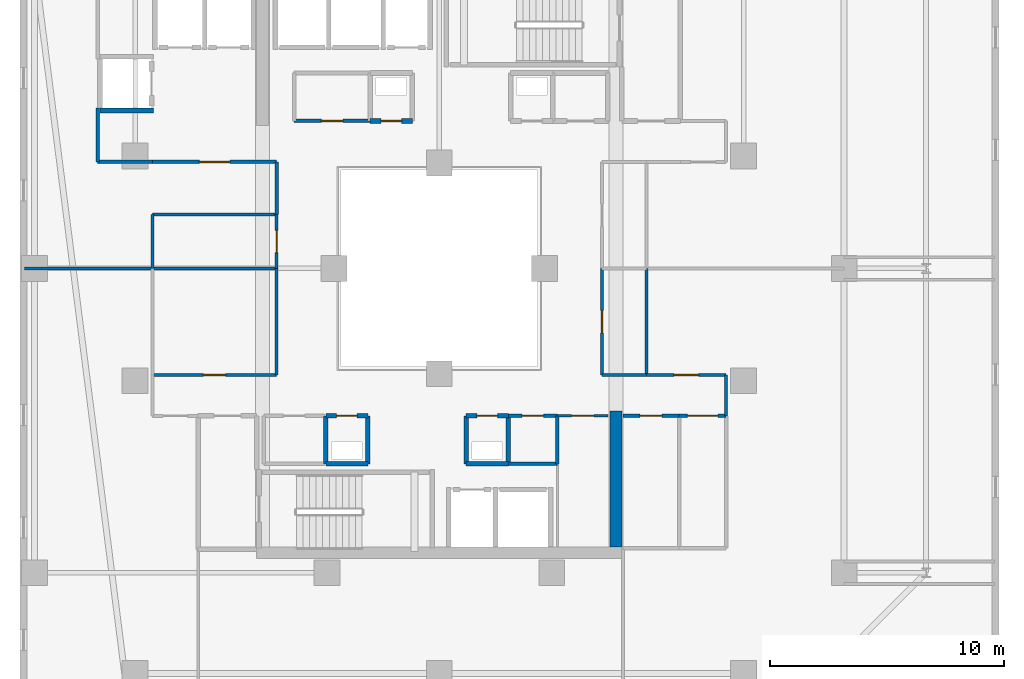
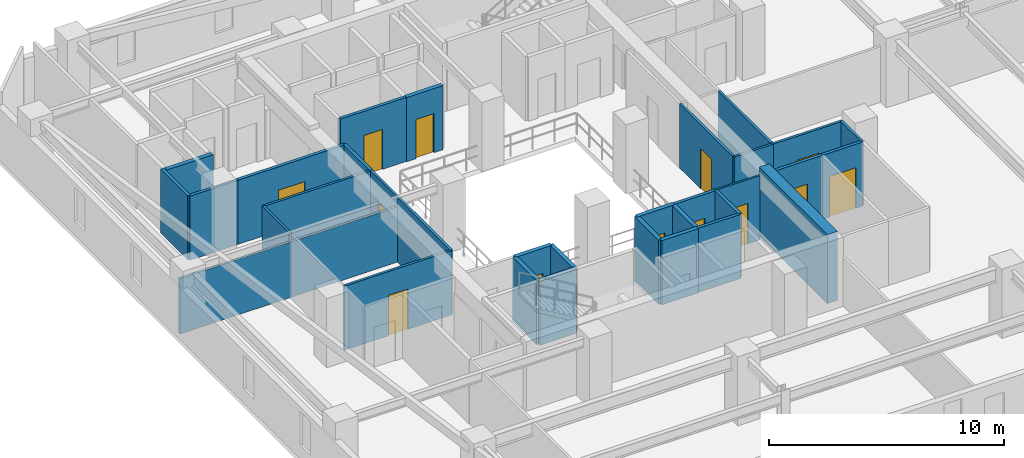
# One storey, part 20 of 33: 34 walls, 13 doors, 13 openings.
"""IFC4 building model written with IfcOpenShell, lengths in metres."""

from ifc_helpers import new_model, si_unit, direction, frame, frame_2d, origin, place, context, subcontext, project, spatial, rectangle, extrude, material, layer, layer_set, type_object, element, fill, save


model = new_model("IFC4")

# Units and contexts
model_context = context("Model", 3, precision=1e-05, world=origin(), true_north=direction((0.0, 1.0)))
body_context = subcontext(model_context, "Body", "Model", "MODEL_VIEW")
ifc_project = project(units=[si_unit("LENGTHUNIT", "METRE"), si_unit("AREAUNIT", "SQUARE_METRE"), si_unit("VOLUMEUNIT", "CUBIC_METRE"), si_unit("PLANEANGLEUNIT", "RADIAN"), si_unit("MASSUNIT", "GRAM", prefix="KILO")], contexts=[model_context])

# Site, building, storey
site_placement = place(None, origin())
site = spatial("IfcSite", under=ifc_project, at=site_placement, CompositionType="ELEMENT")
building_placement = place(site_placement, origin())
building = spatial("IfcBuilding", under=site, at=building_placement, Name="Thornwick Lancets Civic Towers", CompositionType="ELEMENT")
storey_placement = place(building_placement, frame((0.0, 0.0, 167.10009765625)))
storey = spatial("IfcBuildingStorey", under=building, at=storey_placement, Name="L44", CompositionType="ELEMENT", Elevation=167.10009765625)

# Walls
ifc_material_1 = material(Name="Concrete blockwork C40/50", Category="masonry")
ifc_layer_1 = layer(ifc_material_1, 0.199951171875, Name="Concrete blockwork C40/50")
ifc_layer_set_1 = layer_set([ifc_layer_1], Name="Concrete blockwork C40/50")
wall_type_1 = type_object("IfcWallType", Name="WALL_COMP_200", PredefinedType="STANDARD", material=ifc_layer_set_1)
wall_1_placement = place(storey_placement, frame((11.001953125, 33.75, 0.0), z_axis=(0.0, 0.0, 1.0), x_axis=(1.0, 0.0, 0.0)))
element("IfcWall", 1, at=wall_1_placement, inside=storey, type_object=wall_type_1, Name="L44 Hoistway Shaft Wall PL-AM3 S", PredefinedType="STANDARD", context=body_context, shape_type="SweptSolid", body=[
    extrude(rectangle(XDim=2.296142578125, YDim=0.199951171875, at=frame_2d((1.14794921875, 0.0))), origin(), (0.0, 0.0, 1.0), 3.33984375),
])
wall_2_placement = place(storey_placement, frame((26.64990234375, 18.64990234375, 0.0), z_axis=(0.0, 0.0, 1.0), x_axis=(1.0, 0.0, 0.0)))
element("IfcWall", 2, at=wall_2_placement, inside=storey, type_object=wall_type_1, Name="L44 Partition L44-A-DUCT1 E1", PredefinedType="STANDARD", context=body_context, shape_type="SweptSolid", body=[
    extrude(rectangle(XDim=1.800048828125, YDim=0.199951171875, at=frame_2d((0.89990234375, 0.0))), origin(), (0.0, 0.0, 1.0), 3.33984375),
])
wall_3_placement = place(storey_placement, frame((28.449951171875, 18.64990234375, 0.0), z_axis=(0.0, 0.0, 1.0), x_axis=(0.0, 1.0, 0.0)))
element("IfcWall", 3, at=wall_3_placement, inside=storey, type_object=wall_type_1, Name="L44 Partition L44-A-DUCT1 E2", PredefinedType="STANDARD", context=body_context, shape_type="SweptSolid", body=[
    extrude(rectangle(XDim=2.050048828125, YDim=0.199951171875, at=frame_2d((1.02490234375, 0.0))), origin(), (0.0, 0.0, 1.0), 3.33984375),
])

# Wall, opening, door
wall_4_placement = place(storey_placement, frame((28.449951171875, 20.699951171875, 0.0), z_axis=(0.0, 0.0, 1.0), x_axis=(-1.0, 0.0, 0.0)))
wall_4 = element("IfcWall", 4, at=wall_4_placement, inside=storey, type_object=wall_type_1, Name="L44 Partition L44-A-DUCT1 E3", PredefinedType="STANDARD", context=body_context, shape_type="SweptSolid", body=[
    extrude(rectangle(XDim=1.800048828125, YDim=0.199951171875, at=frame_2d((0.89990234375, 0.0))), origin(), (0.0, 0.0, 1.0), 3.33984375),
])
opening_1_placement = place(wall_4_placement, frame((0.4599609375, 0.0, 0.0)))
opening_1 = element("IfcOpeningElement", 5, at=opening_1_placement, cuts=wall_4, Name="Opening D-L44-1959", PredefinedType="OPENING", context=body_context, shape_type="SweptSolid", body=[
    extrude(rectangle(XDim=0.8798828125, YDim=2.0400390625, at=frame_2d((0.43994140625, 1.02001953125))), frame((0.0, 0.10986328125, 0.0), z_axis=(0.0, -1.0, 0.0), x_axis=(1.0, 0.0, 0.0)), (0.0, 0.0, 1.0), 0.219970703125),
])
ifc_material_2 = material(Name="Steel riser access doorset", Category="steel")
door_type_1 = type_object("IfcDoorType", Name="DOOR_RISER_850", OperationType="NOTDEFINED", PredefinedType="DOOR", material=ifc_material_2)
door_1_placement = place(opening_1_placement, origin())
door_1 = element("IfcDoor", 6, at=door_1_placement, inside=storey, type_object=door_type_1, Name="L44 South Service Duct 1 Door", OperationType="SINGLE_SWING_RIGHT", OverallHeight=2.0400390625, OverallWidth=0.8798828125, PredefinedType="DOOR", context=body_context, shape_type="SweptSolid", body=[
    extrude(rectangle(XDim=0.8798828125, YDim=2.0400390625, at=frame_2d((0.43994140625, 1.02001953125))), frame((0.0, 0.02490234375, 0.0), z_axis=(0.0, -1.0, 0.0), x_axis=(1.0, 0.0, 0.0)), (0.0, 0.0, 1.0), 0.050048828125),
])
fill(opening_1, door_1)

# Walls
wall_5_placement = place(storey_placement, frame((26.64990234375, 20.699951171875, 0.0), z_axis=(0.0, 0.0, 1.0), x_axis=(0.0, -1.0, 0.0)))
element("IfcWall", 7, at=wall_5_placement, inside=storey, type_object=wall_type_1, Name="L44 Partition L44-A-DUCT1 E4", PredefinedType="STANDARD", context=body_context, shape_type="SweptSolid", body=[
    extrude(rectangle(XDim=2.050048828125, YDim=0.199951171875, at=frame_2d((1.02490234375, 0.0))), origin(), (0.0, 0.0, 1.0), 3.33984375),
])
wall_6_placement = place(storey_placement, frame((20.64990234375, 18.64990234375, 0.0), z_axis=(0.0, 0.0, 1.0), x_axis=(1.0, 0.0, 0.0)))
element("IfcWall", 8, at=wall_6_placement, inside=storey, type_object=wall_type_1, Name="L44 Partition L44-A-RISER1 E1", PredefinedType="STANDARD", context=body_context, shape_type="SweptSolid", body=[
    extrude(rectangle(XDim=1.800048828125, YDim=0.199951171875, at=frame_2d((0.89990234375, 0.0))), origin(), (0.0, 0.0, 1.0), 3.33984375),
])
wall_7_placement = place(storey_placement, frame((22.449951171875, 18.64990234375, 0.0), z_axis=(0.0, 0.0, 1.0), x_axis=(0.0, 1.0, 0.0)))
element("IfcWall", 9, at=wall_7_placement, inside=storey, type_object=wall_type_1, Name="L44 Partition L44-A-RISER1 E2", PredefinedType="STANDARD", context=body_context, shape_type="SweptSolid", body=[
    extrude(rectangle(XDim=2.050048828125, YDim=0.199951171875, at=frame_2d((1.02490234375, 0.0))), origin(), (0.0, 0.0, 1.0), 3.33984375),
])

# Wall, opening, door
wall_8_placement = place(storey_placement, frame((22.449951171875, 20.699951171875, 0.0), z_axis=(0.0, 0.0, 1.0), x_axis=(-1.0, 0.0, 0.0)))
wall_8 = element("IfcWall", 10, at=wall_8_placement, inside=storey, type_object=wall_type_1, Name="L44 Partition L44-A-RISER1 E3", PredefinedType="STANDARD", context=body_context, shape_type="SweptSolid", body=[
    extrude(rectangle(XDim=1.800048828125, YDim=0.199951171875, at=frame_2d((0.89990234375, 0.0))), origin(), (0.0, 0.0, 1.0), 3.33984375),
])
opening_2_placement = place(wall_8_placement, frame((0.4599609375, 0.0, 0.0)))
opening_2 = element("IfcOpeningElement", 11, at=opening_2_placement, cuts=wall_8, Name="Opening D-L44-1960", PredefinedType="OPENING", context=body_context, shape_type="SweptSolid", body=[
    extrude(rectangle(XDim=0.8798828125, YDim=2.0400390625, at=frame_2d((0.43994140625, 1.02001953125))), frame((0.0, 0.10986328125, 0.0), z_axis=(0.0, -1.0, 0.0), x_axis=(1.0, 0.0, 0.0)), (0.0, 0.0, 1.0), 0.219970703125),
])
door_2_placement = place(opening_2_placement, origin())
door_2 = element("IfcDoor", 12, at=door_2_placement, inside=storey, type_object=door_type_1, Name="L44 South Electrical Riser 1 Door", OperationType="SINGLE_SWING_LEFT", OverallHeight=2.0400390625, OverallWidth=0.8798828125, PredefinedType="DOOR", context=body_context, shape_type="SweptSolid", body=[
    extrude(rectangle(XDim=0.8798828125, YDim=2.0400390625, at=frame_2d((0.43994140625, 1.02001953125))), frame((0.0, 0.02490234375, 0.0), z_axis=(0.0, -1.0, 0.0), x_axis=(1.0, 0.0, 0.0)), (0.0, 0.0, 1.0), 0.050048828125),
])
fill(opening_2, door_2)

# Wall
wall_9_placement = place(storey_placement, frame((20.64990234375, 20.699951171875, 0.0), z_axis=(0.0, 0.0, 1.0), x_axis=(0.0, -1.0, 0.0)))
element("IfcWall", 13, at=wall_9_placement, inside=storey, type_object=wall_type_1, Name="L44 Partition L44-A-RISER1 E4", PredefinedType="STANDARD", context=body_context, shape_type="SweptSolid", body=[
    extrude(rectangle(XDim=2.050048828125, YDim=0.199951171875, at=frame_2d((1.02490234375, 0.0))), origin(), (0.0, 0.0, 1.0), 3.33984375),
])

# Wall, opening, door
wall_10_placement = place(storey_placement, frame((22.550048828125, 33.300048828125, 0.0), z_axis=(0.0, 0.0, 1.0), x_axis=(1.0, 0.0, 0.0)))
wall_10 = element("IfcWall", 14, at=wall_10_placement, inside=storey, type_object=wall_type_1, Name="L44 Partition L44-A-DUCT2 E1", PredefinedType="STANDARD", context=body_context, shape_type="SweptSolid", body=[
    extrude(rectangle(XDim=1.800048828125, YDim=0.199951171875, at=frame_2d((0.89990234375, 0.0))), origin(), (0.0, 0.0, 1.0), 3.33984375),
])
opening_3_placement = place(wall_10_placement, frame((0.4599609375, 0.0, 0.0)))
opening_3 = element("IfcOpeningElement", 15, at=opening_3_placement, cuts=wall_10, Name="Opening D-L44-1961", PredefinedType="OPENING", context=body_context, shape_type="SweptSolid", body=[
    extrude(rectangle(XDim=0.8798828125, YDim=2.0400390625, at=frame_2d((0.43994140625, 1.02001953125))), frame((0.0, 0.10986328125, 0.0), z_axis=(0.0, -1.0, 0.0), x_axis=(1.0, 0.0, 0.0)), (0.0, 0.0, 1.0), 0.219970703125),
])
door_3_placement = place(opening_3_placement, origin())
door_3 = element("IfcDoor", 16, at=door_3_placement, inside=storey, type_object=door_type_1, Name="L44 North Service Duct 2 Door", OperationType="SINGLE_SWING_RIGHT", OverallHeight=2.0400390625, OverallWidth=0.8798828125, PredefinedType="DOOR", context=body_context, shape_type="SweptSolid", body=[
    extrude(rectangle(XDim=0.8798828125, YDim=2.0400390625, at=frame_2d((0.43994140625, 1.02001953125))), frame((0.0, 0.02490234375, 0.0), z_axis=(0.0, -1.0, 0.0), x_axis=(1.0, 0.0, 0.0)), (0.0, 0.0, 1.0), 0.050048828125),
])
fill(opening_3, door_3)

# Wall
ifc_material_3 = material(Name="Concrete C50/60", Category="concrete")
ifc_layer_2 = layer(ifc_material_3, 0.5, Name="Concrete C50/60")
ifc_layer_set_2 = layer_set([ifc_layer_2], Name="Concrete C50/60")
wall_type_2 = type_object("IfcWallType", Name="WALL_CORE_500", PredefinedType="SHEAR", material=ifc_layer_set_2)
wall_11_placement = place(storey_placement, frame((33.050048828125, 15.10009765625, 0.0), z_axis=(0.0, 0.0, 1.0), x_axis=(0.0, 1.0, 0.0)))
element("IfcWall", 17, at=wall_11_placement, inside=storey, type_object=wall_type_2, Name="L44 Split Core A1 Shear Wall E", PredefinedType="SHEAR", context=body_context, shape_type="SweptSolid", body=[
    extrude(rectangle(XDim=5.7998046875, YDim=0.5, at=frame_2d((2.89990234375, 0.0))), origin(), (0.0, 0.0, 1.0), 3.599853515625),
])

# Wall, opening, door
ifc_material_4 = material(Name="Lightweight cellular office partition")
ifc_layer_3 = layer(ifc_material_4, 0.10009765625, Name="Lightweight cellular office partition")
ifc_layer_set_3 = layer_set([ifc_layer_3], Name="Lightweight cellular office partition")
wall_type_3 = type_object("IfcWallType", Name="WALL_PART_100", PredefinedType="PARTITIONING", material=ifc_layer_set_3)
wall_12_placement = place(storey_placement, frame((30.550048828125, 20.699951171875, 0.0), z_axis=(0.0, 0.0, 1.0), x_axis=(1.0, 0.0, 0.0)))
wall_12 = element("IfcWall", 18, at=wall_12_placement, inside=storey, type_object=wall_type_3, Name="L44 Partition L44-A-CLN E5", PredefinedType="PARTITIONING", context=body_context, shape_type="SweptSolid", body=[
    extrude(rectangle(XDim=2.14990234375, YDim=0.10009765625, at=frame_2d((1.074951171875, 0.0))), origin(), (0.0, 0.0, 1.0), 3.33984375),
])
opening_4_placement = place(wall_12_placement, frame((0.60009765625, 0.0, 0.0)))
opening_4 = element("IfcOpeningElement", 19, at=opening_4_placement, cuts=wall_12, Name="Opening D-L44-1965", PredefinedType="OPENING", context=body_context, shape_type="SweptSolid", body=[
    extrude(rectangle(XDim=0.949951171875, YDim=2.10009765625, at=frame_2d((0.47509765625, 1.050048828125))), frame((0.0, 0.06005859375, 0.0), z_axis=(0.0, -1.0, 0.0), x_axis=(1.0, 0.0, 0.0)), (0.0, 0.0, 1.0), 0.1201171875),
])
ifc_material_5 = material(Name="European oak acoustic doorset")
door_type_2 = type_object("IfcDoorType", Name="DOOR_OFFICE_950", OperationType="NOTDEFINED", PredefinedType="DOOR", material=ifc_material_5)
door_4_placement = place(opening_4_placement, origin())
door_4 = element("IfcDoor", 20, at=door_4_placement, inside=storey, type_object=door_type_2, Name="L44 Tower A Cleaners Store Door", OperationType="SINGLE_SWING_RIGHT", OverallHeight=2.10009765625, OverallWidth=0.949951171875, PredefinedType="DOOR", context=body_context, shape_type="SweptSolid", body=[
    extrude(rectangle(XDim=0.949951171875, YDim=2.10009765625, at=frame_2d((0.47509765625, 1.050048828125))), frame((0.0, 0.02490234375, 0.0), z_axis=(0.0, -1.0, 0.0), x_axis=(1.0, 0.0, 0.0)), (0.0, 0.0, 1.0), 0.050048828125),
])
fill(opening_4, door_4)

# Walls
ifc_material_6 = material(Name="Acoustic gypsum board partition")
ifc_layer_4 = layer(ifc_material_6, 0.1201171875, Name="Acoustic gypsum board partition")
ifc_layer_set_4 = layer_set([ifc_layer_4], Name="Acoustic gypsum board partition")
wall_type_4 = type_object("IfcWallType", Name="WALL_PART_120", PredefinedType="PARTITIONING", material=ifc_layer_set_4)
wall_13_placement = place(storey_placement, frame((7.780029296875, 27.0, 0.0), z_axis=(0.0, 0.0, 1.0), x_axis=(1.0, 0.0, 0.0)))
element("IfcWall", 21, at=wall_13_placement, inside=storey, type_object=wall_type_4, Name="L44 Partition L44-A-W1 E9", PredefinedType="PARTITIONING", context=body_context, shape_type="SweptSolid", body=[
    extrude(rectangle(XDim=5.469970703125, YDim=0.1201171875, at=frame_2d((2.73486328125, 0.0))), origin(), (0.0, 0.0, 1.0), 2.881591796875),
])
wall_14_placement = place(storey_placement, frame((13.25, 27.0, 0.0), z_axis=(0.0, 0.0, 1.0), x_axis=(1.0, 0.0, 0.0)))
element("IfcWall", 22, at=wall_14_placement, inside=storey, type_object=wall_type_4, Name="L44 Partition L44-A-W2 E2", PredefinedType="PARTITIONING", context=body_context, shape_type="SweptSolid", body=[
    extrude(rectangle(XDim=5.300048828125, YDim=0.1201171875, at=frame_2d((2.64990234375, 0.0))), origin(), (0.0, 0.0, 1.0), 2.881591796875),
])
wall_15_placement = place(storey_placement, frame((18.550048828125, 27.0, 0.0), z_axis=(0.0, 0.0, 1.0), x_axis=(0.0, -1.0, 0.0)))
element("IfcWall", 23, at=wall_15_placement, inside=storey, type_object=wall_type_4, Name="L44 Partition L44-A-W2 E3", PredefinedType="PARTITIONING", context=body_context, shape_type="SweptSolid", body=[
    extrude(rectangle(XDim=4.550048828125, YDim=0.1201171875, at=frame_2d((2.27490234375, 0.0))), origin(), (0.0, 0.0, 1.0), 3.33984375),
])

# Wall, opening, door
wall_16_placement = place(storey_placement, frame((18.550048828125, 22.449951171875, 0.0), z_axis=(0.0, 0.0, 1.0), x_axis=(-1.0, 0.0, 0.0)))
wall_16 = element("IfcWall", 24, at=wall_16_placement, inside=storey, type_object=wall_type_4, Name="L44 Partition L44-A-W2 E4", PredefinedType="PARTITIONING", context=body_context, shape_type="SweptSolid", body=[
    extrude(rectangle(XDim=5.300048828125, YDim=0.1201171875, at=frame_2d((2.64990234375, 0.0))), origin(), (0.0, 0.0, 1.0), 3.33984375),
])
opening_5_placement = place(wall_16_placement, frame((2.175048828125, 0.0, 0.0)))
opening_5 = element("IfcOpeningElement", 25, at=opening_5_placement, cuts=wall_16, Name="Opening D-L44-1982", PredefinedType="OPENING", context=body_context, shape_type="SweptSolid", body=[
    extrude(rectangle(XDim=0.949951171875, YDim=2.10009765625, at=frame_2d((0.47509765625, 1.050048828125))), frame((0.0, 0.070068359375, 0.0), z_axis=(0.0, -1.0, 0.0), x_axis=(1.0, 0.0, 0.0)), (0.0, 0.0, 1.0), 0.14013671875),
])
door_5_placement = place(opening_5_placement, origin())
door_5 = element("IfcDoor", 26, at=door_5_placement, inside=storey, type_object=door_type_2, Name="L44 Tower A Statutory Research Suite Door", OperationType="SINGLE_SWING_LEFT", OverallHeight=2.10009765625, OverallWidth=0.949951171875, PredefinedType="DOOR", context=body_context, shape_type="SweptSolid", body=[
    extrude(rectangle(XDim=0.949951171875, YDim=2.10009765625, at=frame_2d((0.47509765625, 1.050048828125))), frame((0.0, 0.02490234375, 0.0), z_axis=(0.0, -1.0, 0.0), x_axis=(1.0, 0.0, 0.0)), (0.0, 0.0, 1.0), 0.050048828125),
])
fill(opening_5, door_5)

# Walls
wall_17_placement = place(storey_placement, frame((13.25, 27.0, 0.0), z_axis=(0.0, 0.0, 1.0), x_axis=(0.0, 1.0, 0.0)))
element("IfcWall", 27, at=wall_17_placement, inside=storey, type_object=wall_type_4, Name="L44 Partition L44-A-W3 E1", PredefinedType="PARTITIONING", context=body_context, shape_type="SweptSolid", body=[
    extrude(rectangle(XDim=2.300048828125, YDim=0.1201171875, at=frame_2d((1.14990234375, 0.0))), origin(), (0.0, 0.0, 1.0), 3.33984375),
])
wall_18_placement = place(storey_placement, frame((13.25, 29.300048828125, 0.0), z_axis=(0.0, 0.0, 1.0), x_axis=(1.0, 0.0, 0.0)))
element("IfcWall", 28, at=wall_18_placement, inside=storey, type_object=wall_type_4, Name="L44 Partition L44-A-W3 E2", PredefinedType="PARTITIONING", context=body_context, shape_type="SweptSolid", body=[
    extrude(rectangle(XDim=5.300048828125, YDim=0.1201171875, at=frame_2d((2.64990234375, 0.0))), origin(), (0.0, 0.0, 1.0), 3.33984375),
])

# Wall, opening, door
wall_19_placement = place(storey_placement, frame((18.550048828125, 29.300048828125, 0.0), z_axis=(0.0, 0.0, 1.0), x_axis=(0.0, -1.0, 0.0)))
wall_19 = element("IfcWall", 29, at=wall_19_placement, inside=storey, type_object=wall_type_4, Name="L44 Partition L44-A-W3 E3", PredefinedType="PARTITIONING", context=body_context, shape_type="SweptSolid", body=[
    extrude(rectangle(XDim=2.300048828125, YDim=0.1201171875, at=frame_2d((1.14990234375, 0.0))), origin(), (0.0, 0.0, 1.0), 3.33984375),
])
opening_6_placement = place(wall_19_placement, frame((0.675048828125, 0.0, 0.0)))
opening_6 = element("IfcOpeningElement", 30, at=opening_6_placement, cuts=wall_19, Name="Opening D-L44-1983", PredefinedType="OPENING", context=body_context, shape_type="SweptSolid", body=[
    extrude(rectangle(XDim=0.949951171875, YDim=2.10009765625, at=frame_2d((0.47509765625, 1.050048828125))), frame((0.0, 0.070068359375, 0.0), z_axis=(0.0, -1.0, 0.0), x_axis=(1.0, 0.0, 0.0)), (0.0, 0.0, 1.0), 0.14013671875),
])
door_6_placement = place(opening_6_placement, origin())
door_6 = element("IfcDoor", 31, at=door_6_placement, inside=storey, type_object=door_type_2, Name="L44 Tower A Staff Tea Pantry and Lounge Door", OperationType="SINGLE_SWING_RIGHT", OverallHeight=2.10009765625, OverallWidth=0.949951171875, PredefinedType="DOOR", context=body_context, shape_type="SweptSolid", body=[
    extrude(rectangle(XDim=0.949951171875, YDim=2.10009765625, at=frame_2d((0.47509765625, 1.050048828125))), frame((0.0, 0.02490234375, 0.0), z_axis=(0.0, -1.0, 0.0), x_axis=(1.0, 0.0, 0.0)), (0.0, 0.0, 1.0), 0.050048828125),
])
fill(opening_6, door_6)

wall_20_placement = place(storey_placement, frame((32.449951171875, 22.449951171875, 0.0), z_axis=(0.0, 0.0, 1.0), x_axis=(0.0, 1.0, 0.0)))
wall_20 = element("IfcWall", 32, at=wall_20_placement, inside=storey, type_object=wall_type_4, Name="L44 Partition L44-A-E1 E1", PredefinedType="PARTITIONING", context=body_context, shape_type="SweptSolid", body=[
    extrude(rectangle(XDim=4.550048828125, YDim=0.1201171875, at=frame_2d((2.27490234375, 0.0))), origin(), (0.0, 0.0, 1.0), 3.33984375),
])
opening_7_placement = place(wall_20_placement, frame((1.800048828125, 0.0, 0.0)))
opening_7 = element("IfcOpeningElement", 33, at=opening_7_placement, cuts=wall_20, Name="Opening D-L44-1985", PredefinedType="OPENING", context=body_context, shape_type="SweptSolid", body=[
    extrude(rectangle(XDim=0.949951171875, YDim=2.10009765625, at=frame_2d((0.47509765625, 1.050048828125))), frame((0.0, 0.070068359375, 0.0), z_axis=(0.0, -1.0, 0.0), x_axis=(1.0, 0.0, 0.0)), (0.0, 0.0, 1.0), 0.14013671875),
])
door_7_placement = place(opening_7_placement, origin())
door_7 = element("IfcDoor", 34, at=door_7_placement, inside=storey, type_object=door_type_2, Name="L44 Tower A Visitors Reception and Waiting Door", OperationType="SINGLE_SWING_RIGHT", OverallHeight=2.10009765625, OverallWidth=0.949951171875, PredefinedType="DOOR", context=body_context, shape_type="SweptSolid", body=[
    extrude(rectangle(XDim=0.949951171875, YDim=2.10009765625, at=frame_2d((0.47509765625, 1.050048828125))), frame((0.0, 0.02490234375, 0.0), z_axis=(0.0, -1.0, 0.0), x_axis=(1.0, 0.0, 0.0)), (0.0, 0.0, 1.0), 0.050048828125),
])
fill(opening_7, door_7)

# Walls
wall_21_placement = place(storey_placement, frame((34.35009765625, 27.0, 0.0), z_axis=(0.0, 0.0, 1.0), x_axis=(0.0, -1.0, 0.0)))
element("IfcWall", 35, at=wall_21_placement, inside=storey, type_object=wall_type_4, Name="L44 Partition L44-A-E1 E3", PredefinedType="PARTITIONING", context=body_context, shape_type="SweptSolid", body=[
    extrude(rectangle(XDim=4.550048828125, YDim=0.1201171875, at=frame_2d((2.27490234375, 0.0))), origin(), (0.0, 0.0, 1.0), 3.33984375),
])
wall_22_placement = place(storey_placement, frame((34.35009765625, 22.449951171875, 0.0), z_axis=(0.0, 0.0, 1.0), x_axis=(-1.0, 0.0, 0.0)))
element("IfcWall", 36, at=wall_22_placement, inside=storey, type_object=wall_type_4, Name="L44 Partition L44-A-E1 E4", PredefinedType="PARTITIONING", context=body_context, shape_type="SweptSolid", body=[
    extrude(rectangle(XDim=1.900146484375, YDim=0.1201171875, at=frame_2d((0.9501953125, 0.0))), origin(), (0.0, 0.0, 1.0), 3.33984375),
])
wall_23_placement = place(storey_placement, frame((37.75, 20.699951171875, 0.0), z_axis=(0.0, 0.0, 1.0), x_axis=(0.0, 1.0, 0.0)))
element("IfcWall", 37, at=wall_23_placement, inside=storey, type_object=wall_type_4, Name="L44 Partition L44-A-E2 E6", PredefinedType="PARTITIONING", context=body_context, shape_type="SweptSolid", body=[
    extrude(rectangle(XDim=1.75, YDim=0.1201171875, at=frame_2d((0.875, 0.0))), origin(), (0.0, 0.0, 1.0), 3.33984375),
])

# Wall, opening, door
wall_24_placement = place(storey_placement, frame((37.75, 22.449951171875, 0.0), z_axis=(0.0, 0.0, 1.0), x_axis=(-1.0, 0.0, 0.0)))
wall_24 = element("IfcWall", 38, at=wall_24_placement, inside=storey, type_object=wall_type_4, Name="L44 Partition L44-A-E2 E7", PredefinedType="PARTITIONING", context=body_context, shape_type="SweptSolid", body=[
    extrude(rectangle(XDim=3.39990234375, YDim=0.1201171875, at=frame_2d((1.699951171875, 0.0))), origin(), (0.0, 0.0, 1.0), 3.33984375),
])
opening_8_placement = place(wall_24_placement, frame((1.175048828125, 0.0, 0.0)))
opening_8 = element("IfcOpeningElement", 39, at=opening_8_placement, cuts=wall_24, Name="Opening D-L44-1986", PredefinedType="OPENING", context=body_context, shape_type="SweptSolid", body=[
    extrude(rectangle(XDim=1.050048828125, YDim=2.10009765625, at=frame_2d((0.52490234375, 1.050048828125))), frame((0.0, 0.070068359375, 0.0), z_axis=(0.0, -1.0, 0.0), x_axis=(1.0, 0.0, 0.0)), (0.0, 0.0, 1.0), 0.14013671875),
])
ifc_material_7 = material(Name="Glazed European oak executive doorset")
door_type_3 = type_object("IfcDoorType", Name="DOOR_OFFICE_1050", OperationType="NOTDEFINED", PredefinedType="DOOR", material=ifc_material_7)
door_8_placement = place(opening_8_placement, origin())
door_8 = element("IfcDoor", 40, at=door_8_placement, inside=storey, type_object=door_type_3, Name="L44 Tower A Secretariat Open Office E1 Door", OperationType="SINGLE_SWING_LEFT", OverallHeight=2.10009765625, OverallWidth=1.050048828125, PredefinedType="DOOR", context=body_context, shape_type="SweptSolid", body=[
    extrude(rectangle(XDim=1.050048828125, YDim=2.10009765625, at=frame_2d((0.52490234375, 1.050048828125))), frame((0.0, 0.02490234375, 0.0), z_axis=(0.0, -1.0, 0.0), x_axis=(1.0, 0.0, 0.0)), (0.0, 0.0, 1.0), 0.050048828125),
])
fill(opening_8, door_8)

# Walls
ifc_material_8 = material(Name="Twin-stud acoustic gypsum board")
ifc_layer_5 = layer(ifc_material_8, 0.14990234375, Name="Twin-stud acoustic gypsum board")
ifc_layer_set_5 = layer_set([ifc_layer_5], Name="Twin-stud acoustic gypsum board")
wall_type_5 = type_object("IfcWallType", Name="WALL_PART_150", PredefinedType="PARTITIONING", material=ifc_layer_set_5)
wall_25_placement = place(storey_placement, frame((30.550048828125, 20.699951171875, 0.0), z_axis=(0.0, 0.0, 1.0), x_axis=(0.0, -1.0, 0.0)))
element("IfcWall", 41, at=wall_25_placement, inside=storey, type_object=wall_type_5, Name="L44 Partition L44-A-MWC E1", PredefinedType="PARTITIONING", context=body_context, shape_type="SweptSolid", body=[
    extrude(rectangle(XDim=2.050048828125, YDim=0.14990234375, at=frame_2d((1.02490234375, 0.0))), origin(), (0.0, 0.0, 1.0), 3.33984375),
])
wall_26_placement = place(storey_placement, frame((30.550048828125, 18.64990234375, 0.0), z_axis=(0.0, 0.0, 1.0), x_axis=(-1.0, 0.0, 0.0)))
element("IfcWall", 42, at=wall_26_placement, inside=storey, type_object=wall_type_5, Name="L44 Partition L44-A-MWC E2", PredefinedType="PARTITIONING", context=body_context, shape_type="SweptSolid", body=[
    extrude(rectangle(XDim=2.10009765625, YDim=0.14990234375, at=frame_2d((1.050048828125, 0.0))), origin(), (0.0, 0.0, 1.0), 3.33984375),
])

# Wall, opening, door
wall_27_placement = place(storey_placement, frame((28.449951171875, 20.699951171875, 0.0), z_axis=(0.0, 0.0, 1.0), x_axis=(1.0, 0.0, 0.0)))
wall_27 = element("IfcWall", 43, at=wall_27_placement, inside=storey, type_object=wall_type_5, Name="L44 Partition L44-A-MWC E4", PredefinedType="PARTITIONING", context=body_context, shape_type="SweptSolid", body=[
    extrude(rectangle(XDim=2.10009765625, YDim=0.14990234375, at=frame_2d((1.050048828125, 0.0))), origin(), (0.0, 0.0, 1.0), 3.33984375),
])
opening_9_placement = place(wall_27_placement, frame((0.590087890625, 0.0, 0.0)))
opening_9 = element("IfcOpeningElement", 44, at=opening_9_placement, cuts=wall_27, Name="Opening D-L44-1964", PredefinedType="OPENING", context=body_context, shape_type="SweptSolid", body=[
    extrude(rectangle(XDim=0.919921875, YDim=2.080078125, at=frame_2d((0.4599609375, 1.0400390625))), frame((0.0, 0.0849609375, 0.0), z_axis=(0.0, -1.0, 0.0), x_axis=(1.0, 0.0, 0.0)), (0.0, 0.0, 1.0), 0.169921875),
])
ifc_material_9 = material(Name="Moisture-resistant oak doorset")
door_type_4 = type_object("IfcDoorType", Name="DOOR_WC_900", OperationType="NOTDEFINED", PredefinedType="DOOR", material=ifc_material_9)
door_9_placement = place(opening_9_placement, origin())
door_9 = element("IfcDoor", 45, at=door_9_placement, inside=storey, type_object=door_type_4, Name="L44 Tower A Male WC Door", OperationType="SINGLE_SWING_LEFT", OverallHeight=2.080078125, OverallWidth=0.919921875, PredefinedType="DOOR", context=body_context, shape_type="SweptSolid", body=[
    extrude(rectangle(XDim=0.919921875, YDim=2.080078125, at=frame_2d((0.4599609375, 1.0400390625))), frame((0.0, 0.02490234375, 0.0), z_axis=(0.0, -1.0, 0.0), x_axis=(1.0, 0.0, 0.0)), (0.0, 0.0, 1.0), 0.050048828125),
])
fill(opening_9, door_9)

wall_28_placement = place(storey_placement, frame((22.550048828125, 33.300048828125, 0.0), z_axis=(0.0, 0.0, 1.0), x_axis=(-1.0, 0.0, 0.0)))
wall_28 = element("IfcWall", 46, at=wall_28_placement, inside=storey, type_object=wall_type_5, Name="L44 Partition L44-A-FWC E4", PredefinedType="PARTITIONING", context=body_context, shape_type="SweptSolid", body=[
    extrude(rectangle(XDim=3.25, YDim=0.14990234375, at=frame_2d((1.625, 0.0))), origin(), (0.0, 0.0, 1.0), 3.33984375),
])
opening_10_placement = place(wall_28_placement, frame((1.1650390625, 0.0, 0.0)))
opening_10 = element("IfcOpeningElement", 47, at=opening_10_placement, cuts=wall_28, Name="Opening D-L44-1966", PredefinedType="OPENING", context=body_context, shape_type="SweptSolid", body=[
    extrude(rectangle(XDim=0.919921875, YDim=2.080078125, at=frame_2d((0.4599609375, 1.0400390625))), frame((0.0, 0.0849609375, 0.0), z_axis=(0.0, -1.0, 0.0), x_axis=(1.0, 0.0, 0.0)), (0.0, 0.0, 1.0), 0.169921875),
])
door_10_placement = place(opening_10_placement, origin())
door_10 = element("IfcDoor", 48, at=door_10_placement, inside=storey, type_object=door_type_4, Name="L44 Tower A Female WC Door", OperationType="SINGLE_SWING_LEFT", OverallHeight=2.080078125, OverallWidth=0.919921875, PredefinedType="DOOR", context=body_context, shape_type="SweptSolid", body=[
    extrude(rectangle(XDim=0.919921875, YDim=2.080078125, at=frame_2d((0.4599609375, 1.0400390625))), frame((0.0, 0.02490234375, 0.0), z_axis=(0.0, -1.0, 0.0), x_axis=(1.0, 0.0, 0.0)), (0.0, 0.0, 1.0), 0.050048828125),
])
fill(opening_10, door_10)

wall_29_placement = place(storey_placement, frame((33.35009765625, 20.699951171875, 0.0), z_axis=(0.0, 0.0, 1.0), x_axis=(1.0, 0.0, 0.0)))
wall_29 = element("IfcWall", 49, at=wall_29_placement, inside=storey, type_object=wall_type_5, Name="L44 Partition L44-A-RECLAIM-L1 E3", PredefinedType="PARTITIONING", context=body_context, shape_type="SweptSolid", body=[
    extrude(rectangle(XDim=2.39990234375, YDim=0.14990234375, at=frame_2d((1.199951171875, 0.0))), origin(), (0.0, 0.0, 1.0), 3.33984375),
])
opening_11_placement = place(wall_29_placement, frame((0.72509765625, 0.0, 0.0)))
opening_11 = element("IfcOpeningElement", 50, at=opening_11_placement, cuts=wall_29, Name="Opening D-L44-1979", PredefinedType="OPENING", context=body_context, shape_type="SweptSolid", body=[
    extrude(rectangle(XDim=0.949951171875, YDim=2.10009765625, at=frame_2d((0.47509765625, 1.050048828125))), frame((0.0, 0.0849609375, 0.0), z_axis=(0.0, -1.0, 0.0), x_axis=(1.0, 0.0, 0.0)), (0.0, 0.0, 1.0), 0.169921875),
])
door_11_placement = place(opening_11_placement, origin())
door_11 = element("IfcDoor", 51, at=door_11_placement, inside=storey, type_object=door_type_2, Name="L44 Tower A Policy Archive Door", OperationType="SINGLE_SWING_RIGHT", OverallHeight=2.10009765625, OverallWidth=0.949951171875, PredefinedType="DOOR", context=body_context, shape_type="SweptSolid", body=[
    extrude(rectangle(XDim=0.949951171875, YDim=2.10009765625, at=frame_2d((0.47509765625, 1.050048828125))), frame((0.0, 0.02490234375, 0.0), z_axis=(0.0, -1.0, 0.0), x_axis=(1.0, 0.0, 0.0)), (0.0, 0.0, 1.0), 0.050048828125),
])
fill(opening_11, door_11)

wall_30_placement = place(storey_placement, frame((35.75, 20.699951171875, 0.0), z_axis=(0.0, 0.0, 1.0), x_axis=(1.0, 0.0, 0.0)))
wall_30 = element("IfcWall", 52, at=wall_30_placement, inside=storey, type_object=wall_type_5, Name="L44 Partition L44-A-RECLAIM-L2 E3", PredefinedType="PARTITIONING", context=body_context, shape_type="SweptSolid", body=[
    extrude(rectangle(XDim=2.0, YDim=0.14990234375, at=frame_2d((1.0, 0.0))), origin(), (0.0, 0.0, 1.0), 3.33984375),
])
opening_12_placement = place(wall_30_placement, frame((0.35009765625, 0.0, 0.0)))
opening_12 = element("IfcOpeningElement", 53, at=opening_12_placement, cuts=wall_30, Name="Opening D-L44-1980", PredefinedType="OPENING", context=body_context, shape_type="SweptSolid", body=[
    extrude(rectangle(XDim=1.300048828125, YDim=2.1201171875, at=frame_2d((0.64990234375, 1.06005859375))), frame((0.0, 0.0849609375, 0.0), z_axis=(0.0, -1.0, 0.0), x_axis=(1.0, 0.0, 0.0)), (0.0, 0.0, 1.0), 0.169921875),
])
ifc_material_10 = material(Name="Acoustic oak leaf-and-a-half doorset")
door_type_5 = type_object("IfcDoorType", Name="DOOR_MEET_1300", OperationType="DOUBLE_DOOR_SINGLE_SWING", PredefinedType="DOOR", material=ifc_material_10)
door_12_placement = place(opening_12_placement, origin())
door_12 = element("IfcDoor", 54, at=door_12_placement, inside=storey, type_object=door_type_5, Name="L44 Tower A Ministerial Consultation Room Door", OperationType="DOUBLE_DOOR_SINGLE_SWING", OverallHeight=2.1201171875, OverallWidth=1.300048828125, PredefinedType="DOOR", context=body_context, shape_type="SweptSolid", body=[
    extrude(rectangle(XDim=1.300048828125, YDim=2.1201171875, at=frame_2d((0.64990234375, 1.06005859375))), frame((0.0, 0.02490234375, 0.0), z_axis=(0.0, -1.0, 0.0), x_axis=(1.0, 0.0, 0.0)), (0.0, 0.0, 1.0), 0.050048828125),
])
fill(opening_12, door_12)

wall_31_placement = place(storey_placement, frame((13.25, 31.550048828125, 0.0), z_axis=(0.0, 0.0, 1.0), x_axis=(1.0, 0.0, 0.0)))
wall_31 = element("IfcWall", 55, at=wall_31_placement, inside=storey, type_object=wall_type_5, Name="L44 Partition L44-A-W4 E1", PredefinedType="PARTITIONING", context=body_context, shape_type="SweptSolid", body=[
    extrude(rectangle(XDim=5.300048828125, YDim=0.14990234375, at=frame_2d((2.64990234375, 0.0))), origin(), (0.0, 0.0, 1.0), 3.33984375),
])
opening_13_placement = place(wall_31_placement, frame((2.0, 0.0, 0.0)))
opening_13 = element("IfcOpeningElement", 56, at=opening_13_placement, cuts=wall_31, Name="Opening D-L44-1984", PredefinedType="OPENING", context=body_context, shape_type="SweptSolid", body=[
    extrude(rectangle(XDim=1.300048828125, YDim=2.1201171875, at=frame_2d((0.64990234375, 1.06005859375))), frame((0.0, 0.0849609375, 0.0), z_axis=(0.0, -1.0, 0.0), x_axis=(1.0, 0.0, 0.0)), (0.0, 0.0, 1.0), 0.169921875),
])
door_13_placement = place(opening_13_placement, origin())
door_13 = element("IfcDoor", 57, at=door_13_placement, inside=storey, type_object=door_type_5, Name="L44 Tower A Policy Briefing Room W4 Door", OperationType="DOUBLE_DOOR_SINGLE_SWING", OverallHeight=2.1201171875, OverallWidth=1.300048828125, PredefinedType="DOOR", context=body_context, shape_type="SweptSolid", body=[
    extrude(rectangle(XDim=1.300048828125, YDim=2.1201171875, at=frame_2d((0.64990234375, 1.06005859375))), frame((0.0, 0.02490234375, 0.0), z_axis=(0.0, -1.0, 0.0), x_axis=(1.0, 0.0, 0.0)), (0.0, 0.0, 1.0), 0.050048828125),
])
fill(opening_13, door_13)

# Walls
wall_32_placement = place(storey_placement, frame((18.550048828125, 31.550048828125, 0.0), z_axis=(0.0, 0.0, 1.0), x_axis=(0.0, -1.0, 0.0)))
element("IfcWall", 58, at=wall_32_placement, inside=storey, type_object=wall_type_5, Name="L44 Partition L44-A-W4 E2", PredefinedType="PARTITIONING", context=body_context, shape_type="SweptSolid", body=[
    extrude(rectangle(XDim=2.25, YDim=0.14990234375, at=frame_2d((1.125, 0.0))), origin(), (0.0, 0.0, 1.0), 3.33984375),
])
wall_33_placement = place(storey_placement, frame((10.89990234375, 33.862060546875, 0.0), z_axis=(0.0, 0.0, 1.0), x_axis=(0.0, -1.0, 0.0)))
element("IfcWall", 59, at=wall_33_placement, inside=storey, type_object=wall_type_5, Name="L44 Partition L44-A-W4 E9", PredefinedType="PARTITIONING", context=body_context, shape_type="SweptSolid", body=[
    extrude(rectangle(XDim=2.31201171875, YDim=0.14990234375, at=frame_2d((1.156005859375, 0.0))), origin(), (0.0, 0.0, 1.0), 3.33984375),
])
wall_34_placement = place(storey_placement, frame((10.89990234375, 31.550048828125, 0.0), z_axis=(0.0, 0.0, 1.0), x_axis=(1.0, 0.0, 0.0)))
element("IfcWall", 60, at=wall_34_placement, inside=storey, type_object=wall_type_5, Name="L44 Partition L44-A-W4 E10", PredefinedType="PARTITIONING", context=body_context, shape_type="SweptSolid", body=[
    extrude(rectangle(XDim=2.35009765625, YDim=0.14990234375, at=frame_2d((1.175048828125, 0.0))), origin(), (0.0, 0.0, 1.0), 3.33984375),
])

save(model, "model.ifc")
